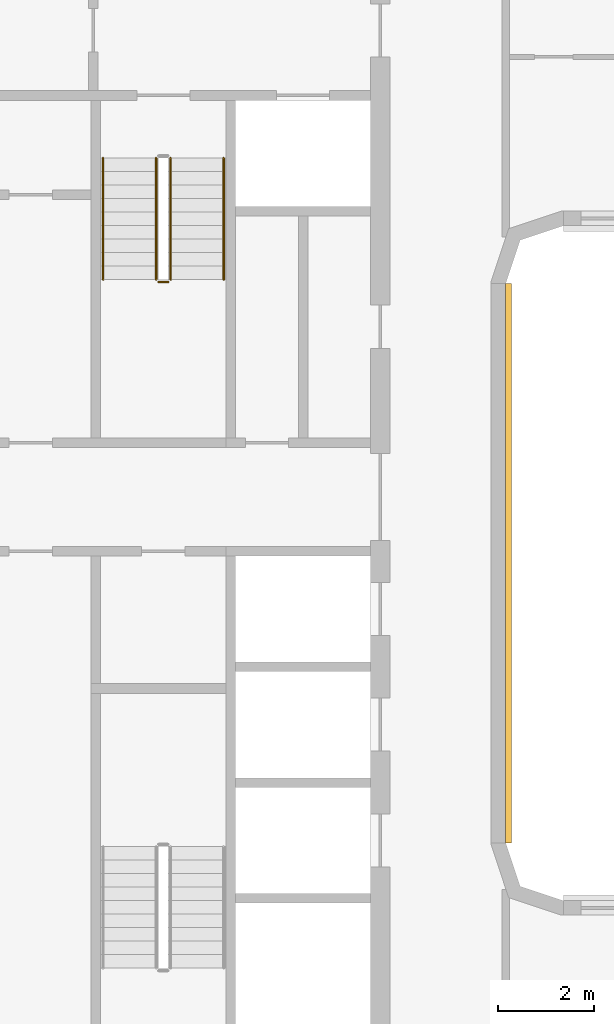
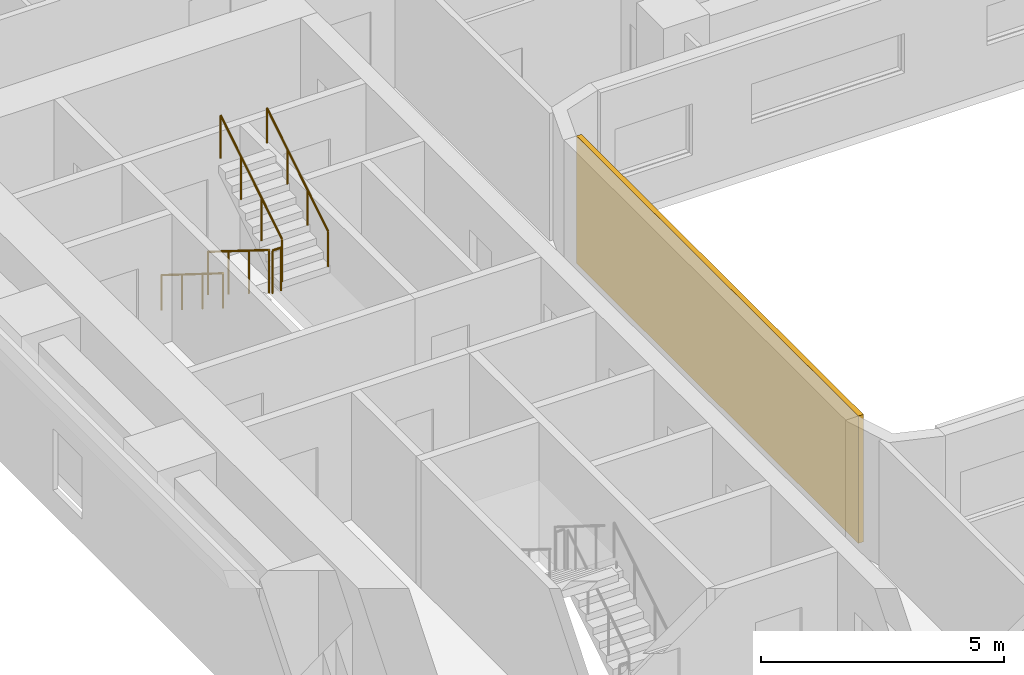
# One storey, part 16 of 22: 5 railings, 1 covering.
"""IFC4 building model written with IfcOpenShell, lengths in metres."""

from ifc_helpers import new_model, si_unit, direction, frame, origin, origin_2d, place, context, subcontext, project, spatial, polyline, circle, outline, extrude, material, layer, layer_set, type_object, element, save


model = new_model("IFC4")

# Units and contexts
model_context = context("Model", 3, precision=1e-05, world=origin(), true_north=direction((0.0, 1.0)))
body_context = subcontext(model_context, "Body", "Model", "MODEL_VIEW")
ifc_project = project(units=[si_unit("LENGTHUNIT", "METRE"), si_unit("AREAUNIT", "SQUARE_METRE"), si_unit("VOLUMEUNIT", "CUBIC_METRE"), si_unit("PLANEANGLEUNIT", "RADIAN"), si_unit("MASSUNIT", "GRAM", prefix="KILO")], contexts=[model_context])

# Site, building, storey
site_placement = place(None, origin())
site = spatial("IfcSite", under=ifc_project, at=site_placement, CompositionType="ELEMENT")
building_placement = place(site_placement, origin())
building = spatial("IfcBuilding", under=site, at=building_placement, Name="Kiln Ring Residences", CompositionType="ELEMENT")
storey_placement = place(building_placement, frame((0.0, 0.0, 65.5)))
storey = spatial("IfcBuildingStorey", under=building, at=storey_placement, Name="L16", CompositionType="ELEMENT", Elevation=65.5)

# Railings
ifc_material_1 = material(Name="Stainless steel", Category="steel")
railing_type_1 = type_object("IfcRailingType", Name="CORE-STAIR-GUARD", PredefinedType="GUARDRAIL", material=ifc_material_1)
railing_1_placement = place(storey_placement, frame((-22.25, 8.39990234375, 0.175048828125)))
element("IfcRailing", 1, at=railing_1_placement, inside=storey, type_object=railing_type_1, Name="L16 W-STN stair guard 1", PredefinedType="GUARDRAIL", context=body_context, shape_type="SweptSolid", body=[
    extrude(circle(Radius=0.02392578125, at=origin_2d()), frame((0.0, 0.0, 1.076171875), z_axis=(0.0, -0.848007534815, 0.529984170421), x_axis=(1.0, 0.0, 0.0)), (0.0, 0.0, 1.0), 2.9716796875),
    extrude(circle(Radius=0.02099609375, at=origin_2d()), origin(), (0.0, 0.0, 1.0), 1.052001953125),
    extrude(circle(Radius=0.02099609375, at=origin_2d()), frame((0.0, -0.840087890625, 0.52490234375)), (0.0, 0.0, 1.0), 1.052001953125),
    extrude(circle(Radius=0.02099609375, at=origin_2d()), frame((0.0, -1.679931640625, 1.050048828125)), (0.0, 0.0, 1.0), 1.052001953125),
    extrude(circle(Radius=0.02099609375, at=origin_2d()), frame((0.0, -2.52001953125, 1.574951171875)), (0.0, 0.0, 1.0), 1.052001953125),
])
railing_2_placement = place(storey_placement, frame((-22.199951171875, 5.830078125, 1.75)))
element("IfcRailing", 2, at=railing_2_placement, inside=storey, type_object=railing_type_1, Name="L16 W-STN stair guard 2", PredefinedType="GUARDRAIL", context=body_context, shape_type="SweptSolid", body=[
    extrude(circle(Radius=0.02392578125, at=origin_2d()), frame((0.0, 0.0, 1.076171875), z_axis=(1.0, 0.0, 0.0), x_axis=(0.0, 1.0, 0.0)), (0.0, 0.0, 1.0), 0.199951171875),
    extrude(circle(Radius=0.02099609375, at=origin_2d()), origin(), (0.0, 0.0, 1.0), 1.052001953125),
    extrude(circle(Radius=0.02099609375, at=origin_2d()), frame((0.199951171875, 0.0, 0.0)), (0.0, 0.0, 1.0), 1.052001953125),
])
railing_3_placement = place(storey_placement, frame((-21.949951171875, 5.8798828125, 1.925048828125)))
element("IfcRailing", 3, at=railing_3_placement, inside=storey, type_object=railing_type_1, Name="L16 W-STN stair guard 3", PredefinedType="GUARDRAIL", context=body_context, shape_type="SweptSolid", body=[
    extrude(circle(Radius=0.02392578125, at=origin_2d()), frame((0.0, 0.0, 1.076171875), z_axis=(0.0, 0.848007534815, 0.529984170421), x_axis=(-1.0, 0.0, 0.0)), (0.0, 0.0, 1.0), 2.9716796875),
    extrude(circle(Radius=0.02099609375, at=origin_2d()), origin(), (0.0, 0.0, 1.0), 1.052001953125),
    extrude(circle(Radius=0.02099609375, at=origin_2d()), frame((0.0, 0.840087890625, 0.52490234375)), (0.0, 0.0, 1.0), 1.052001953125),
    extrude(circle(Radius=0.02099609375, at=origin_2d()), frame((0.0, 1.679931640625, 1.050048828125)), (0.0, 0.0, 1.0), 1.052001953125),
    extrude(circle(Radius=0.02099609375, at=origin_2d()), frame((0.0, 2.52001953125, 1.574951171875)), (0.0, 0.0, 1.0), 1.052001953125),
])
ifc_material_2 = material(Name="Stainless steel", Category="steel")
railing_type_2 = type_object("IfcRailingType", Name="CORE-STAIR-HANDRAIL", PredefinedType="HANDRAIL", material=ifc_material_2)
railing_4_placement = place(storey_placement, frame((-23.35009765625, 8.39990234375, 0.175048828125)))
element("IfcRailing", 4, at=railing_4_placement, inside=storey, type_object=railing_type_2, Name="L16 W-STN stair handrail 1", PredefinedType="HANDRAIL", context=body_context, shape_type="SweptSolid", body=[
    extrude(circle(Radius=0.02392578125, at=origin_2d()), frame((0.0, 0.0, 0.8759765625), z_axis=(0.0, -0.848007534815, 0.529984170421), x_axis=(1.0, 0.0, 0.0)), (0.0, 0.0, 1.0), 2.9716796875),
    extrude(circle(Radius=0.02099609375, at=origin_2d()), origin(), (0.0, 0.0, 1.0), 0.851806640625),
    extrude(circle(Radius=0.02099609375, at=origin_2d()), frame((0.0, -0.840087890625, 0.52490234375)), (0.0, 0.0, 1.0), 0.851806640625),
    extrude(circle(Radius=0.02099609375, at=origin_2d()), frame((0.0, -1.679931640625, 1.050048828125)), (0.0, 0.0, 1.0), 0.851806640625),
    extrude(circle(Radius=0.02099609375, at=origin_2d()), frame((0.0, -2.52001953125, 1.574951171875)), (0.0, 0.0, 1.0), 0.851806640625),
])
railing_5_placement = place(storey_placement, frame((-20.85009765625, 5.8798828125, 1.925048828125)))
element("IfcRailing", 5, at=railing_5_placement, inside=storey, type_object=railing_type_2, Name="L16 W-STN stair handrail 2", PredefinedType="HANDRAIL", context=body_context, shape_type="SweptSolid", body=[
    extrude(circle(Radius=0.02392578125, at=origin_2d()), frame((0.0, 0.0, 0.8759765625), z_axis=(0.0, 0.848007534815, 0.529984170421), x_axis=(-1.0, 0.0, 0.0)), (0.0, 0.0, 1.0), 2.9716796875),
    extrude(circle(Radius=0.02099609375, at=origin_2d()), origin(), (0.0, 0.0, 1.0), 0.851806640625),
    extrude(circle(Radius=0.02099609375, at=origin_2d()), frame((0.0, 0.840087890625, 0.52490234375)), (0.0, 0.0, 1.0), 0.851806640625),
    extrude(circle(Radius=0.02099609375, at=origin_2d()), frame((0.0, 1.679931640625, 1.050048828125)), (0.0, 0.0, 1.0), 0.851806640625),
    extrude(circle(Radius=0.02099609375, at=origin_2d()), frame((0.0, 2.52001953125, 1.574951171875)), (0.0, 0.0, 1.0), 0.851806640625),
])

# Covering
ifc_material_3 = material(Name="Brick masonry, dark clay brick", Category="masonry")
ifc_layer = layer(ifc_material_3, 0.1201171875)
ifc_layer_set = layer_set([ifc_layer], Name="RAINSCREEN PANEL 120")
covering_type = type_object("IfcCoveringType", Name="RAINSCREEN PANEL 120", PredefinedType="CLADDING", material=ifc_layer_set)
covering_placement = place(storey_placement, frame((-14.93994140625, -5.800048828125, 0.0), z_axis=(0.0, 0.0, 1.0), x_axis=(0.0, 1.0, 0.0)))
element("IfcCovering", 6, at=covering_placement, inside=storey, type_object=covering_type, Name="RAINSCREEN L16", PredefinedType="CLADDING", context=body_context, shape_type="SweptSolid", body=[
    extrude(outline(polyline([(0.0, 0.0), (11.60009765625, 0.0), (11.60009765625, 3.199951171875), (0.0, 3.199951171875), (0.0, 0.0)])), frame((0.0, 0.06005859375, 0.0), z_axis=(0.0, -1.0, 0.0), x_axis=(1.0, 0.0, 0.0)), (0.0, 0.0, 1.0), 0.1201171875),
])

save(model, "model.ifc")
